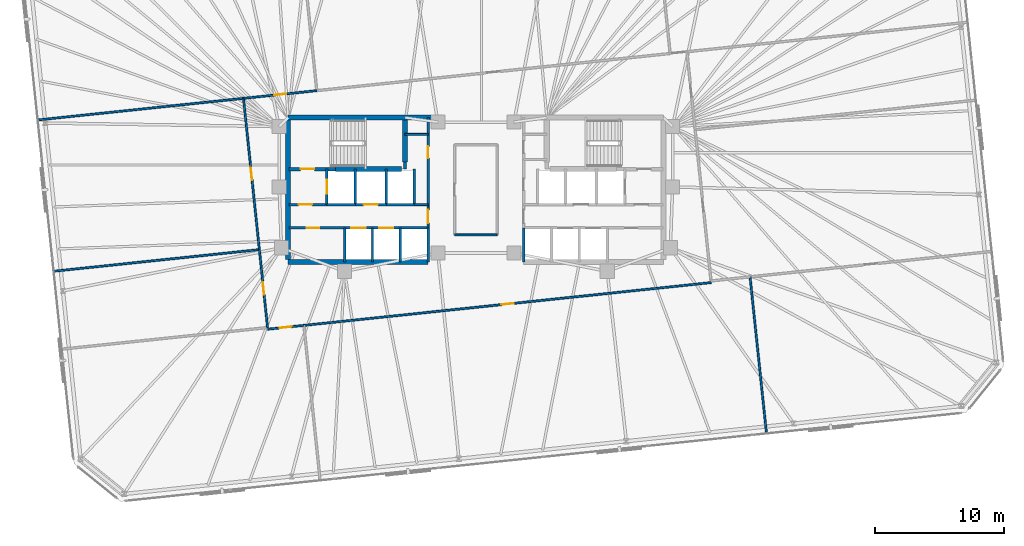
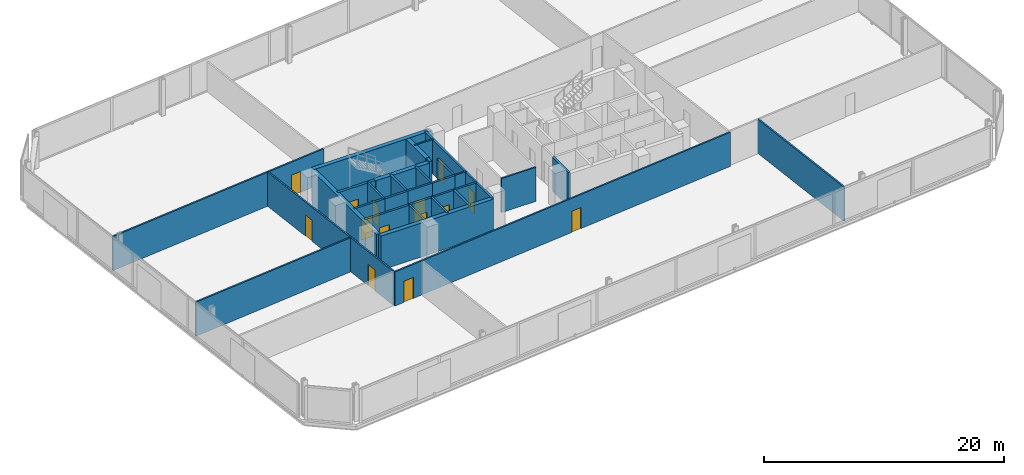
# One storey, part 14 of 18: 34 walls, 14 doors, 14 openings.
"""IFC4 building model written with IfcOpenShell, lengths in metres."""

from ifc_helpers import new_model, si_unit, direction, frame, frame_2d, origin, place, context, subcontext, project, spatial, rectangle, extrude, material, layer, layer_set, type_object, element, fill, save


model = new_model("IFC4")

# Units and contexts
model_context = context("Model", 3, precision=1e-05, world=origin(), true_north=direction((0.0, 1.0)))
body_context = subcontext(model_context, "Body", "Model", "MODEL_VIEW")
ifc_project = project(units=[si_unit("LENGTHUNIT", "METRE"), si_unit("AREAUNIT", "SQUARE_METRE"), si_unit("VOLUMEUNIT", "CUBIC_METRE"), si_unit("PLANEANGLEUNIT", "RADIAN"), si_unit("MASSUNIT", "GRAM", prefix="KILO")], contexts=[model_context])

# Site, building, storey
site_placement = place(None, origin())
site = spatial("IfcSite", under=ifc_project, at=site_placement, CompositionType="ELEMENT")
building_placement = place(site_placement, origin())
building = spatial("IfcBuilding", under=site, at=building_placement, Name="Menara Jurai Vektor", CompositionType="ELEMENT")
storey_placement = place(building_placement, frame((0.0, 0.0, 135.5)))
storey = spatial("IfcBuildingStorey", under=building, at=storey_placement, Name="L34", CompositionType="ELEMENT", Elevation=135.5)

# Wall, opening, door
ifc_material_1 = material(Name="Concrete C40/50", Category="concrete")
ifc_layer_1 = layer(ifc_material_1, 0.25)
ifc_layer_set_1 = layer_set([ifc_layer_1], Name="Concrete C40/50")
wall_type_1 = type_object("IfcWallType", Name="INT-WALL-CORE-250", PredefinedType="STANDARD", material=ifc_layer_set_1)
wall_1_placement = place(storey_placement, frame((-14.5, 1.60009765625, 0.0), z_axis=(0.0, 0.0, 1.0), x_axis=(1.0, 0.0, 0.0)))
wall_1 = element("IfcWall", 1, at=wall_1_placement, inside=storey, type_object=wall_type_1, Name="Interior Wall IW-250 L34", PredefinedType="STANDARD", context=body_context, shape_type="SweptSolid", body=[
    extrude(rectangle(XDim=3.60009765625, YDim=0.25, at=frame_2d((1.800048828125, 0.0))), origin(), (0.0, 0.0, 1.0), 3.47509765625),
])
opening_1_placement = place(wall_1_placement, frame((0.919921875, 0.0, 0.0)))
opening_1 = element("IfcOpeningElement", 2, at=opening_1_placement, cuts=wall_1, Name="Opening D-L34-ST1", PredefinedType="OPENING", context=body_context, shape_type="SweptSolid", body=[
    extrude(rectangle(XDim=1.050048828125, YDim=2.14990234375, at=frame_2d((0.52490234375, 1.074951171875))), frame((0.0, 0.135009765625, 0.0), z_axis=(0.0, -1.0, 0.0), x_axis=(1.0, 0.0, 0.0)), (0.0, 0.0, 1.0), 0.27001953125),
])
ifc_material_2 = material(Name="Fire-Rated Steel Door", Category="steel")
door_type_1 = type_object("IfcDoorType", Name="DR-STAIR-1050", OperationType="NOTDEFINED", PredefinedType="DOOR", material=ifc_material_2)
door_1_placement = place(opening_1_placement, origin())
door_1 = element("IfcDoor", 3, at=door_1_placement, inside=storey, type_object=door_type_1, Name="Exit Stair ST1 Door L34", OperationType="SINGLE_SWING_RIGHT", OverallHeight=2.14990234375, OverallWidth=1.050048828125, PredefinedType="DOOR", context=body_context, shape_type="SweptSolid", body=[
    extrude(rectangle(XDim=1.050048828125, YDim=2.14990234375, at=frame_2d((0.52490234375, 1.074951171875))), frame((0.0, 0.02490234375, 0.0), z_axis=(0.0, -1.0, 0.0), x_axis=(1.0, 0.0, 0.0)), (0.0, 0.0, 1.0), 0.050048828125),
])
fill(opening_1, door_1)

# Wall
wall_2_placement = place(storey_placement, frame((-5.5, 1.60009765625, 0.0), z_axis=(0.0, 0.0, 1.0), x_axis=(0.0, 1.0, 0.0)))
element("IfcWall", 4, at=wall_2_placement, inside=storey, type_object=wall_type_1, Name="Interior Wall IW-250 L34", PredefinedType="STANDARD", context=body_context, shape_type="SweptSolid", body=[
    extrude(rectangle(XDim=0.5498046875, YDim=0.25, at=frame_2d((0.27490234375, 0.0))), origin(), (0.0, 0.0, 1.0), 3.47509765625),
])

# Wall, opening, door
wall_3_placement = place(storey_placement, frame((-11.550048828125, -1.14990234375, 0.0), z_axis=(0.0, 0.0, 1.0), x_axis=(0.0, 1.0, 0.0)))
wall_3 = element("IfcWall", 5, at=wall_3_placement, inside=storey, type_object=wall_type_1, Name="Interior Wall IW-250 L34", PredefinedType="STANDARD", context=body_context, shape_type="SweptSolid", body=[
    extrude(rectangle(XDim=2.75, YDim=0.199951171875, at=frame_2d((1.375, 0.0))), origin(), (0.0, 0.0, 1.0), 3.47509765625),
])
opening_2_placement = place(wall_3_placement, frame((0.824951171875, 0.0, 0.0)))
opening_2 = element("IfcOpeningElement", 6, at=opening_2_placement, cuts=wall_3, Name="Opening LD-L34-FL1", PredefinedType="OPENING", context=body_context, shape_type="SweptSolid", body=[
    extrude(rectangle(XDim=1.10009765625, YDim=2.14990234375, at=frame_2d((0.550048828125, 1.074951171875))), frame((0.0, 0.10986328125, 0.0), z_axis=(0.0, -1.0, 0.0), x_axis=(1.0, 0.0, 0.0)), (0.0, 0.0, 1.0), 0.219970703125),
])
ifc_material_3 = material(Name="Stainless Steel Sliding Lift Landing Door", Category="steel")
door_type_2 = type_object("IfcDoorType", Name="DR-LIFT-FIRE-1100", OperationType="NOTDEFINED", PredefinedType="DOOR", material=ifc_material_3)
door_2_placement = place(opening_2_placement, origin())
door_2 = element("IfcDoor", 7, at=door_2_placement, inside=storey, type_object=door_type_2, Name="Lift Landing Door FL1 L34", OperationType="SLIDING_TO_RIGHT", OverallHeight=2.14990234375, OverallWidth=1.10009765625, PredefinedType="DOOR", context=body_context, shape_type="SweptSolid", body=[
    extrude(rectangle(XDim=1.10009765625, YDim=2.14990234375, at=frame_2d((0.550048828125, 1.074951171875))), frame((0.0, 0.02490234375, 0.0), z_axis=(0.0, -1.0, 0.0), x_axis=(1.0, 0.0, 0.0)), (0.0, 0.0, 1.0), 0.050048828125),
])
fill(opening_2, door_2)

# Wall
wall_4_placement = place(storey_placement, frame((-9.35009765625, -1.14990234375, 0.0), z_axis=(0.0, 0.0, 1.0), x_axis=(0.0, 1.0, 0.0)))
element("IfcWall", 8, at=wall_4_placement, inside=storey, type_object=wall_type_1, Name="Interior Wall IW-250 L34", PredefinedType="STANDARD", context=body_context, shape_type="SweptSolid", body=[
    extrude(rectangle(XDim=2.75, YDim=0.199951171875, at=frame_2d((1.375, 0.0))), origin(), (0.0, 0.0, 1.0), 3.47509765625),
])

# Wall, opening, door
wall_5_placement = place(storey_placement, frame((-14.5, -1.14990234375, 0.0), z_axis=(0.0, 0.0, 1.0), x_axis=(1.0, 0.0, 0.0)))
wall_5 = element("IfcWall", 9, at=wall_5_placement, inside=storey, type_object=wall_type_1, Name="Interior Wall IW-250 L34", PredefinedType="STANDARD", context=body_context, shape_type="SweptSolid", body=[
    extrude(rectangle(XDim=2.949951171875, YDim=0.199951171875, at=frame_2d((1.47509765625, 0.0))), origin(), (0.0, 0.0, 1.0), 3.47509765625),
])
opening_3_placement = place(wall_5_placement, frame((0.75, 0.0, 0.0)))
opening_3 = element("IfcOpeningElement", 10, at=opening_3_placement, cuts=wall_5, Name="Opening D-L34-FFW", PredefinedType="OPENING", context=body_context, shape_type="SweptSolid", body=[
    extrude(rectangle(XDim=1.050048828125, YDim=2.179931640625, at=frame_2d((0.52490234375, 1.08984375))), frame((0.0, 0.10986328125, 0.0), z_axis=(0.0, -1.0, 0.0), x_axis=(1.0, 0.0, 0.0)), (0.0, 0.0, 1.0), 0.219970703125),
])
ifc_material_4 = material(Name="Fire-Rated Timber Door", Category="wood")
door_type_3 = type_object("IfcDoorType", Name="DR-LOBBY-1050", OperationType="NOTDEFINED", PredefinedType="DOOR", material=ifc_material_4)
door_3_placement = place(opening_3_placement, origin())
door_3 = element("IfcDoor", 11, at=door_3_placement, inside=storey, type_object=door_type_3, Name="Fire Lift Lobby Door W L34", OperationType="SINGLE_SWING_RIGHT", OverallHeight=2.179931640625, OverallWidth=1.050048828125, PredefinedType="DOOR", context=body_context, shape_type="SweptSolid", body=[
    extrude(rectangle(XDim=1.050048828125, YDim=2.179931640625, at=frame_2d((0.52490234375, 1.08984375))), frame((0.0, 0.02490234375, 0.0), z_axis=(0.0, -1.0, 0.0), x_axis=(1.0, 0.0, 0.0)), (0.0, 0.0, 1.0), 0.050048828125),
])
fill(opening_3, door_3)

# Wall
wall_6_placement = place(storey_placement, frame((-11.550048828125, -1.14990234375, 0.0), z_axis=(0.0, 0.0, 1.0), x_axis=(1.0, 0.0, 0.0)))
element("IfcWall", 12, at=wall_6_placement, inside=storey, type_object=wall_type_1, Name="Interior Wall IW-250 L34", PredefinedType="STANDARD", context=body_context, shape_type="SweptSolid", body=[
    extrude(rectangle(XDim=2.199951171875, YDim=0.199951171875, at=frame_2d((1.10009765625, 0.0))), origin(), (0.0, 0.0, 1.0), 3.47509765625),
])

# Wall, opening, door
ifc_material_5 = material(Name="Gypsum Fireboard Partition", Category="gypsum")
ifc_layer_2 = layer(ifc_material_5, 0.14990234375)
ifc_layer_set_2 = layer_set([ifc_layer_2], Name="Gypsum Fireboard Partition")
wall_type_2 = type_object("IfcWallType", Name="INT-WALL-CORR-150", PredefinedType="PARTITIONING", material=ifc_layer_set_2)
wall_7_placement = place(storey_placement, frame((-3.699951171875, -2.949951171875, 0.0), z_axis=(0.0, 0.0, 1.0), x_axis=(0.0, 1.0, 0.0)))
wall_7 = element("IfcWall", 13, at=wall_7_placement, inside=storey, type_object=wall_type_2, Name="Interior Wall IW-150 L34", PredefinedType="PARTITIONING", context=body_context, shape_type="SweptSolid", body=[
    extrude(rectangle(XDim=1.800048828125, YDim=0.14990234375, at=frame_2d((0.89990234375, 0.0))), origin(), (0.0, 0.0, 1.0), 3.47509765625),
])
opening_4_placement = place(wall_7_placement, frame((0.35009765625, 0.0, 0.0)))
opening_4 = element("IfcOpeningElement", 14, at=opening_4_placement, cuts=wall_7, Name="Opening D-L34-LLW", PredefinedType="OPENING", context=body_context, shape_type="SweptSolid", body=[
    extrude(rectangle(XDim=1.050048828125, YDim=2.179931640625, at=frame_2d((0.52490234375, 1.08984375))), frame((0.0, 0.0849609375, 0.0), z_axis=(0.0, -1.0, 0.0), x_axis=(1.0, 0.0, 0.0)), (0.0, 0.0, 1.0), 0.169921875),
])
door_4_placement = place(opening_4_placement, origin())
door_4 = element("IfcDoor", 15, at=door_4_placement, inside=storey, type_object=door_type_3, Name="Lift Lobby Corridor Door W L34", OperationType="SINGLE_SWING_LEFT", OverallHeight=2.179931640625, OverallWidth=1.050048828125, PredefinedType="DOOR", context=body_context, shape_type="SweptSolid", body=[
    extrude(rectangle(XDim=1.050048828125, YDim=2.179931640625, at=frame_2d((0.52490234375, 1.08984375))), frame((0.0, 0.02490234375, 0.0), z_axis=(0.0, -1.0, 0.0), x_axis=(1.0, 0.0, 0.0)), (0.0, 0.0, 1.0), 0.050048828125),
])
fill(opening_4, door_4)

# Walls
wall_8_placement = place(storey_placement, frame((-4.7900390625, -1.14990234375, 0.0), z_axis=(0.0, 0.0, 1.0), x_axis=(1.0, 0.0, 0.0)))
element("IfcWall", 16, at=wall_8_placement, inside=storey, type_object=wall_type_2, Name="Interior Wall IW-150 L34", PredefinedType="PARTITIONING", context=body_context, shape_type="SweptSolid", body=[
    extrude(rectangle(XDim=1.090087890625, YDim=0.14990234375, at=frame_2d((0.544921875, 0.0))), origin(), (0.0, 0.0, 1.0), 3.47509765625),
])
wall_9_placement = place(storey_placement, frame((-5.5, 4.300048828125, 0.0), z_axis=(0.0, 0.0, 1.0), x_axis=(1.0, 0.0, 0.0)))
element("IfcWall", 17, at=wall_9_placement, inside=storey, type_object=wall_type_2, Name="Interior Wall IW-150 L34", PredefinedType="PARTITIONING", context=body_context, shape_type="SweptSolid", body=[
    extrude(rectangle(XDim=1.800048828125, YDim=0.14990234375, at=frame_2d((0.89990234375, 0.0))), origin(), (0.0, 0.0, 1.0), 3.47509765625),
])
wall_10_placement = place(storey_placement, frame((-1.649658203125, -3.490478515625, 0.0), z_axis=(0.0, 0.0, 1.0), x_axis=(1.0, 0.0, 0.0)))
element("IfcWall", 18, at=wall_10_placement, inside=storey, type_object=wall_type_2, Name="Interior Wall IW-150 L34", PredefinedType="PARTITIONING", context=body_context, shape_type="SweptSolid", body=[
    extrude(rectangle(XDim=3.300048828125, YDim=0.14990234375, at=frame_2d((1.64990234375, 0.0))), origin(), (0.0, 0.0, 1.0), 3.47509765625),
])

# Wall, opening, door
wall_11_placement = place(storey_placement, frame((-18.021240234375, 7.09033203125, 0.0), z_axis=(0.0, 0.0, 1.0), x_axis=(0.994520418841, 0.104542510534, 0.0)))
wall_11 = element("IfcWall", 19, at=wall_11_placement, inside=storey, type_object=wall_type_2, Name="Interior Wall IW-150 L34", PredefinedType="PARTITIONING", context=body_context, shape_type="SweptSolid", body=[
    extrude(rectangle(XDim=5.716796875, YDim=0.14990234375, at=frame_2d((2.8583984375, 0.0))), origin(), (0.0, 0.0, 1.0), 3.47509765625),
])
opening_5_placement = place(wall_11_placement, frame((2.383544921875, 0.0, 0.0)))
opening_5 = element("IfcOpeningElement", 20, at=opening_5_placement, cuts=wall_11, Name="Opening D34-07", PredefinedType="OPENING", context=body_context, shape_type="SweptSolid", body=[
    extrude(rectangle(XDim=0.949951171875, YDim=2.14990234375, at=frame_2d((0.47509765625, 1.074951171875))), frame((0.0, 0.0849609375, 0.0), z_axis=(0.0, -1.0, 0.0), x_axis=(1.0, 0.0, 0.0)), (0.0, 0.0, 1.0), 0.169921875),
])
ifc_material_6 = material(Name="Solid Core Timber Fire Door", Category="wood")
door_type_4 = type_object("IfcDoorType", Name="DR-ENTRY-950", OperationType="NOTDEFINED", PredefinedType="DOOR", material=ifc_material_6)
door_5_placement = place(opening_5_placement, origin())
door_5 = element("IfcDoor", 21, at=door_5_placement, inside=storey, type_object=door_type_4, Name="Interior Door D34-07", OperationType="SINGLE_SWING_RIGHT", OverallHeight=2.14990234375, OverallWidth=0.949951171875, PredefinedType="DOOR", context=body_context, shape_type="SweptSolid", body=[
    extrude(rectangle(XDim=0.949951171875, YDim=2.14990234375, at=frame_2d((0.47509765625, 1.074951171875))), frame((0.0, 0.02490234375, 0.0), z_axis=(0.0, -1.0, 0.0), x_axis=(1.0, 0.0, 0.0)), (0.0, 0.0, 1.0), 0.050048828125),
])
fill(opening_5, door_5)

wall_12_placement = place(storey_placement, frame((-16.139892578125, -10.80908203125, 0.0), z_axis=(0.0, 0.0, 1.0), x_axis=(0.994522535937, 0.104522368483, 0.0)))
wall_12 = element("IfcWall", 22, at=wall_12_placement, inside=storey, type_object=wall_type_2, Name="Interior Wall IW-150 L34", PredefinedType="PARTITIONING", context=body_context, shape_type="SweptSolid", body=[
    extrude(rectangle(XDim=2.81689453125, YDim=0.14990234375, at=frame_2d((1.408447265625, 0.0))), origin(), (0.0, 0.0, 1.0), 3.47509765625),
])
opening_6_placement = place(wall_12_placement, frame((0.93359375, 0.0, 0.0)))
opening_6 = element("IfcOpeningElement", 23, at=opening_6_placement, cuts=wall_12, Name="Opening D34-10", PredefinedType="OPENING", context=body_context, shape_type="SweptSolid", body=[
    extrude(rectangle(XDim=0.949951171875, YDim=2.14990234375, at=frame_2d((0.47509765625, 1.074951171875))), frame((0.0, 0.0849609375, 0.0), z_axis=(0.0, -1.0, 0.0), x_axis=(1.0, 0.0, 0.0)), (0.0, 0.0, 1.0), 0.169921875),
])
door_6_placement = place(opening_6_placement, origin())
door_6 = element("IfcDoor", 24, at=door_6_placement, inside=storey, type_object=door_type_4, Name="Interior Door D34-10", OperationType="SINGLE_SWING_LEFT", OverallHeight=2.14990234375, OverallWidth=0.949951171875, PredefinedType="DOOR", context=body_context, shape_type="SweptSolid", body=[
    extrude(rectangle(XDim=0.949951171875, YDim=2.14990234375, at=frame_2d((0.47509765625, 1.074951171875))), frame((0.0, 0.02490234375, 0.0), z_axis=(0.0, -1.0, 0.0), x_axis=(1.0, 0.0, 0.0)), (0.0, 0.0, 1.0), 0.050048828125),
])
fill(opening_6, door_6)

wall_13_placement = place(storey_placement, frame((-13.33837890625, -10.5146484375, 0.0), z_axis=(0.0, 0.0, 1.0), x_axis=(0.994522458216, 0.104523107989, 0.0)))
wall_13 = element("IfcWall", 25, at=wall_13_placement, inside=storey, type_object=wall_type_2, Name="Interior Wall IW-150 L34", PredefinedType="PARTITIONING", context=body_context, shape_type="SweptSolid", body=[
    extrude(rectangle(XDim=31.7568359375, YDim=0.14990234375, at=frame_2d((15.87841796875, 0.0))), origin(), (0.0, 0.0, 1.0), 3.47509765625),
])
opening_7_placement = place(wall_13_placement, frame((15.403564453125, 0.0, 0.0)))
opening_7 = element("IfcOpeningElement", 26, at=opening_7_placement, cuts=wall_13, Name="Opening D34-11", PredefinedType="OPENING", context=body_context, shape_type="SweptSolid", body=[
    extrude(rectangle(XDim=0.949951171875, YDim=2.14990234375, at=frame_2d((0.47509765625, 1.074951171875))), frame((0.0, 0.0849609375, 0.0), z_axis=(0.0, -1.0, 0.0), x_axis=(1.0, 0.0, 0.0)), (0.0, 0.0, 1.0), 0.169921875),
])
door_7_placement = place(opening_7_placement, origin())
door_7 = element("IfcDoor", 27, at=door_7_placement, inside=storey, type_object=door_type_4, Name="Interior Door D34-11", OperationType="SINGLE_SWING_RIGHT", OverallHeight=2.14990234375, OverallWidth=0.949951171875, PredefinedType="DOOR", context=body_context, shape_type="SweptSolid", body=[
    extrude(rectangle(XDim=0.949951171875, YDim=2.14990234375, at=frame_2d((0.47509765625, 1.074951171875))), frame((0.0, 0.02490234375, 0.0), z_axis=(0.0, -1.0, 0.0), x_axis=(1.0, 0.0, 0.0)), (0.0, 0.0, 1.0), 0.050048828125),
])
fill(opening_7, door_7)

wall_14_placement = place(storey_placement, frame((-16.1533203125, -10.681884765625, 0.0), z_axis=(0.0, 0.0, 1.0), x_axis=(-0.104550920346, 0.994519534778, 0.0)))
wall_14 = element("IfcWall", 28, at=wall_14_placement, inside=storey, type_object=wall_type_2, Name="Interior Wall IW-150 L34", PredefinedType="PARTITIONING", context=body_context, shape_type="SweptSolid", body=[
    extrude(rectangle(XDim=6.075927734375, YDim=0.14990234375, at=frame_2d((3.0380859375, 0.0))), origin(), (0.0, 0.0, 1.0), 3.47509765625),
])
opening_8_placement = place(wall_14_placement, frame((2.56298828125, 0.0, 0.0)))
opening_8 = element("IfcOpeningElement", 29, at=opening_8_placement, cuts=wall_14, Name="Opening D34-12", PredefinedType="OPENING", context=body_context, shape_type="SweptSolid", body=[
    extrude(rectangle(XDim=0.949951171875, YDim=2.14990234375, at=frame_2d((0.47509765625, 1.074951171875))), frame((0.0, 0.0849609375, 0.0), z_axis=(0.0, -1.0, 0.0), x_axis=(1.0, 0.0, 0.0)), (0.0, 0.0, 1.0), 0.169921875),
])
door_8_placement = place(opening_8_placement, origin())
door_8 = element("IfcDoor", 30, at=door_8_placement, inside=storey, type_object=door_type_4, Name="Interior Door D34-12", OperationType="SINGLE_SWING_LEFT", OverallHeight=2.14990234375, OverallWidth=0.949951171875, PredefinedType="DOOR", context=body_context, shape_type="SweptSolid", body=[
    extrude(rectangle(XDim=0.949951171875, YDim=2.14990234375, at=frame_2d((0.47509765625, 1.074951171875))), frame((0.0, 0.02490234375, 0.0), z_axis=(0.0, -1.0, 0.0), x_axis=(1.0, 0.0, 0.0)), (0.0, 0.0, 1.0), 0.050048828125),
])
fill(opening_8, door_8)

wall_15_placement = place(storey_placement, frame((-16.78857421875, -4.63916015625, 0.0), z_axis=(0.0, 0.0, 1.0), x_axis=(-0.104515608009, 0.994523246426, 0.0)))
wall_15 = element("IfcWall", 31, at=wall_15_placement, inside=storey, type_object=wall_type_2, Name="Interior Wall IW-150 L34", PredefinedType="PARTITIONING", context=body_context, shape_type="SweptSolid", body=[
    extrude(rectangle(XDim=11.794189453125, YDim=0.14990234375, at=frame_2d((5.89697265625, 0.0))), origin(), (0.0, 0.0, 1.0), 3.47509765625),
])
opening_9_placement = place(wall_15_placement, frame((5.422119140625, 0.0, 0.0)))
opening_9 = element("IfcOpeningElement", 32, at=opening_9_placement, cuts=wall_15, Name="Opening D34-13", PredefinedType="OPENING", context=body_context, shape_type="SweptSolid", body=[
    extrude(rectangle(XDim=0.949951171875, YDim=2.14990234375, at=frame_2d((0.47509765625, 1.074951171875))), frame((0.0, 0.0849609375, 0.0), z_axis=(0.0, -1.0, 0.0), x_axis=(1.0, 0.0, 0.0)), (0.0, 0.0, 1.0), 0.169921875),
])
door_9_placement = place(opening_9_placement, origin())
door_9 = element("IfcDoor", 33, at=door_9_placement, inside=storey, type_object=door_type_4, Name="Interior Door D34-13", OperationType="SINGLE_SWING_RIGHT", OverallHeight=2.14990234375, OverallWidth=0.949951171875, PredefinedType="DOOR", context=body_context, shape_type="SweptSolid", body=[
    extrude(rectangle(XDim=0.949951171875, YDim=2.14990234375, at=frame_2d((0.47509765625, 1.074951171875))), frame((0.0, 0.02490234375, 0.0), z_axis=(0.0, -1.0, 0.0), x_axis=(1.0, 0.0, 0.0)), (0.0, 0.0, 1.0), 0.050048828125),
])
fill(opening_9, door_9)

# Walls
wall_16_placement = place(storey_placement, frame((-33.966552734375, 5.414306640625, 0.0), z_axis=(0.0, 0.0, 1.0), x_axis=(0.994521211213, 0.104534972363, 0.0)))
element("IfcWall", 34, at=wall_16_placement, inside=storey, type_object=wall_type_2, Name="Interior Wall IW-150 L34", PredefinedType="PARTITIONING", context=body_context, shape_type="SweptSolid", body=[
    extrude(rectangle(XDim=16.033203125, YDim=0.14990234375, at=frame_2d((8.0166015625, 0.0))), origin(), (0.0, 0.0, 1.0), 3.47509765625),
])
wall_17_placement = place(storey_placement, frame((22.534912109375, -18.90380859375, 0.0), z_axis=(0.0, 0.0, 1.0), x_axis=(-0.104520477826, 0.99452273464, 0.0)))
element("IfcWall", 35, at=wall_17_placement, inside=storey, type_object=wall_type_2, Name="Interior Wall IW-150 L34", PredefinedType="PARTITIONING", context=body_context, shape_type="SweptSolid", body=[
    extrude(rectangle(XDim=12.220947265625, YDim=0.14990234375, at=frame_2d((6.1103515625, 0.0))), origin(), (0.0, 0.0, 1.0), 3.47509765625),
])
wall_18_placement = place(storey_placement, frame((-32.733642578125, -6.31494140625, 0.0), z_axis=(0.0, 0.0, 1.0), x_axis=(0.994522627807, 0.104521494347, 0.0)))
element("IfcWall", 36, at=wall_18_placement, inside=storey, type_object=wall_type_2, Name="Interior Wall IW-150 L34", PredefinedType="PARTITIONING", context=body_context, shape_type="SweptSolid", body=[
    extrude(rectangle(XDim=16.032958984375, YDim=0.14990234375, at=frame_2d((8.0166015625, 0.0))), origin(), (0.0, 0.0, 1.0), 3.47509765625),
])

# Wall, opening, door
ifc_layer_3 = layer(ifc_material_1, 0.199951171875)
ifc_layer_set_3 = layer_set([ifc_layer_3], Name="Concrete C40/50")
wall_type_3 = type_object("IfcWallType", Name="INT-WALL-SHAFT-200", PredefinedType="STANDARD", material=ifc_layer_set_3)
wall_19_placement = place(storey_placement, frame((-3.699951171875, -1.14990234375, 0.0), z_axis=(0.0, 0.0, 1.0), x_axis=(0.0, 1.0, 0.0)))
wall_19 = element("IfcWall", 37, at=wall_19_placement, inside=storey, type_object=wall_type_3, Name="Interior Wall IW-200 L34", PredefinedType="STANDARD", context=body_context, shape_type="SweptSolid", body=[
    extrude(rectangle(XDim=6.75, YDim=0.199951171875, at=frame_2d((3.375, 0.0))), origin(), (0.0, 0.0, 1.0), 3.47509765625),
])
opening_10_placement = place(wall_19_placement, frame((3.60009765625, 0.0, 0.0)))
opening_10 = element("IfcOpeningElement", 38, at=opening_10_placement, cuts=wall_19, Name="Opening D34-02", PredefinedType="OPENING", context=body_context, shape_type="SweptSolid", body=[
    extrude(rectangle(XDim=0.919921875, YDim=2.14990234375, at=frame_2d((0.4599609375, 1.074951171875))), frame((0.0, 0.10986328125, 0.0), z_axis=(0.0, -1.0, 0.0), x_axis=(1.0, 0.0, 0.0)), (0.0, 0.0, 1.0), 0.219970703125),
])
door_10_placement = place(opening_10_placement, origin())
door_10 = element("IfcDoor", 39, at=door_10_placement, inside=storey, type_object=door_type_4, Name="Interior Door D34-02", OperationType="SINGLE_SWING_LEFT", OverallHeight=2.14990234375, OverallWidth=0.919921875, PredefinedType="DOOR", context=body_context, shape_type="SweptSolid", body=[
    extrude(rectangle(XDim=0.919921875, YDim=2.14990234375, at=frame_2d((0.4599609375, 1.074951171875))), frame((0.0, 0.02490234375, 0.0), z_axis=(0.0, -1.0, 0.0), x_axis=(1.0, 0.0, 0.0)), (0.0, 0.0, 1.0), 0.050048828125),
])
fill(opening_10, door_10)

# Walls
wall_20_placement = place(storey_placement, frame((-3.699951171875, -5.60009765625, 0.0), z_axis=(0.0, 0.0, 1.0), x_axis=(0.0, 1.0, 0.0)))
element("IfcWall", 40, at=wall_20_placement, inside=storey, type_object=wall_type_3, Name="Interior Wall IW-200 L34", PredefinedType="STANDARD", context=body_context, shape_type="SweptSolid", body=[
    extrude(rectangle(XDim=2.650146484375, YDim=0.199951171875, at=frame_2d((1.3251953125, 0.0))), origin(), (0.0, 0.0, 1.0), 3.47509765625),
])
wall_21_placement = place(storey_placement, frame((-6.949951171875, -1.14990234375, 0.0), z_axis=(0.0, 0.0, 1.0), x_axis=(0.0, 1.0, 0.0)))
element("IfcWall", 41, at=wall_21_placement, inside=storey, type_object=wall_type_3, Name="Interior Wall IW-200 L34", PredefinedType="STANDARD", context=body_context, shape_type="SweptSolid", body=[
    extrude(rectangle(XDim=2.75, YDim=0.199951171875, at=frame_2d((1.375, 0.0))), origin(), (0.0, 0.0, 1.0), 3.47509765625),
])

# Wall, opening, door
wall_22_placement = place(storey_placement, frame((-9.35009765625, -1.14990234375, 0.0), z_axis=(0.0, 0.0, 1.0), x_axis=(1.0, 0.0, 0.0)))
wall_22 = element("IfcWall", 42, at=wall_22_placement, inside=storey, type_object=wall_type_3, Name="Interior Wall IW-200 L34", PredefinedType="STANDARD", context=body_context, shape_type="SweptSolid", body=[
    extrude(rectangle(XDim=2.400146484375, YDim=0.199951171875, at=frame_2d((1.2001953125, 0.0))), origin(), (0.0, 0.0, 1.0), 3.47509765625),
])
opening_11_placement = place(wall_22_placement, frame((0.64990234375, 0.0, 0.0)))
opening_11 = element("IfcOpeningElement", 43, at=opening_11_placement, cuts=wall_22, Name="Opening LD-L34-SVL1", PredefinedType="OPENING", context=body_context, shape_type="SweptSolid", body=[
    extrude(rectangle(XDim=1.10009765625, YDim=2.14990234375, at=frame_2d((0.550048828125, 1.074951171875))), frame((0.0, 0.10986328125, 0.0), z_axis=(0.0, -1.0, 0.0), x_axis=(1.0, 0.0, 0.0)), (0.0, 0.0, 1.0), 0.219970703125),
])
ifc_material_7 = material(Name="Anodised Stainless Sliding Lift Landing Door", Category="steel")
door_type_5 = type_object("IfcDoorType", Name="DR-LIFT-PASS-1100", OperationType="NOTDEFINED", PredefinedType="DOOR", material=ifc_material_7)
door_11_placement = place(opening_11_placement, origin())
door_11 = element("IfcDoor", 44, at=door_11_placement, inside=storey, type_object=door_type_5, Name="Lift Landing Door SVL1 L34", OperationType="SLIDING_TO_RIGHT", OverallHeight=2.14990234375, OverallWidth=1.10009765625, PredefinedType="DOOR", context=body_context, shape_type="SweptSolid", body=[
    extrude(rectangle(XDim=1.10009765625, YDim=2.14990234375, at=frame_2d((0.550048828125, 1.074951171875))), frame((0.0, 0.02490234375, 0.0), z_axis=(0.0, -1.0, 0.0), x_axis=(1.0, 0.0, 0.0)), (0.0, 0.0, 1.0), 0.050048828125),
])
fill(opening_11, door_11)

# Walls
wall_23_placement = place(storey_placement, frame((-4.7900390625, -1.14990234375, 0.0), z_axis=(0.0, 0.0, 1.0), x_axis=(0.0, 1.0, 0.0)))
element("IfcWall", 45, at=wall_23_placement, inside=storey, type_object=wall_type_3, Name="Interior Wall IW-200 L34", PredefinedType="STANDARD", context=body_context, shape_type="SweptSolid", body=[
    extrude(rectangle(XDim=2.75, YDim=0.199951171875, at=frame_2d((1.375, 0.0))), origin(), (0.0, 0.0, 1.0), 3.47509765625),
])
wall_24_placement = place(storey_placement, frame((-6.949951171875, -1.14990234375, 0.0), z_axis=(0.0, 0.0, 1.0), x_axis=(1.0, 0.0, 0.0)))
element("IfcWall", 46, at=wall_24_placement, inside=storey, type_object=wall_type_3, Name="Interior Wall IW-200 L34", PredefinedType="STANDARD", context=body_context, shape_type="SweptSolid", body=[
    extrude(rectangle(XDim=2.159912109375, YDim=0.199951171875, at=frame_2d((1.080078125, 0.0))), origin(), (0.0, 0.0, 1.0), 3.47509765625),
])

# Wall, openings, doors
wall_25_placement = place(storey_placement, frame((-14.5, -2.949951171875, 0.0), z_axis=(0.0, 0.0, 1.0), x_axis=(1.0, 0.0, 0.0)))
wall_25 = element("IfcWall", 47, at=wall_25_placement, inside=storey, type_object=wall_type_3, Name="Interior Wall IW-200 L34", PredefinedType="STANDARD", context=body_context, shape_type="SweptSolid", body=[
    extrude(rectangle(XDim=10.800048828125, YDim=0.199951171875, at=frame_2d((5.39990234375, 0.0))), origin(), (0.0, 0.0, 1.0), 3.47509765625),
])
opening_12_placement = place(wall_25_placement, frame((4.85009765625, 0.0, 0.0)))
opening_12 = element("IfcOpeningElement", 48, at=opening_12_placement, cuts=wall_25, Name="Opening LD-L34-PM1", PredefinedType="OPENING", context=body_context, shape_type="SweptSolid", body=[
    extrude(rectangle(XDim=1.10009765625, YDim=2.14990234375, at=frame_2d((0.550048828125, 1.074951171875))), frame((0.0, 0.10986328125, 0.0), z_axis=(0.0, -1.0, 0.0), x_axis=(1.0, 0.0, 0.0)), (0.0, 0.0, 1.0), 0.219970703125),
])
opening_13_placement = place(wall_25_placement, frame((7.010009765625, 0.0, 0.0)))
opening_13 = element("IfcOpeningElement", 49, at=opening_13_placement, cuts=wall_25, Name="Opening LD-L34-PM2", PredefinedType="OPENING", context=body_context, shape_type="SweptSolid", body=[
    extrude(rectangle(XDim=1.10009765625, YDim=2.14990234375, at=frame_2d((0.550048828125, 1.074951171875))), frame((0.0, 0.10986328125, 0.0), z_axis=(0.0, -1.0, 0.0), x_axis=(1.0, 0.0, 0.0)), (0.0, 0.0, 1.0), 0.219970703125),
])
opening_14_placement = place(wall_25_placement, frame((1.39990234375, 0.0, 0.0)))
opening_14 = element("IfcOpeningElement", 50, at=opening_14_placement, cuts=wall_25, Name="Opening D34-01", PredefinedType="OPENING", context=body_context, shape_type="SweptSolid", body=[
    extrude(rectangle(XDim=0.949951171875, YDim=2.14990234375, at=frame_2d((0.47509765625, 1.074951171875))), frame((0.0, 0.10986328125, 0.0), z_axis=(0.0, -1.0, 0.0), x_axis=(1.0, 0.0, 0.0)), (0.0, 0.0, 1.0), 0.219970703125),
])
door_12_placement = place(opening_14_placement, origin())
door_12 = element("IfcDoor", 51, at=door_12_placement, inside=storey, type_object=door_type_4, Name="Interior Door D34-01", OperationType="SINGLE_SWING_LEFT", OverallHeight=2.14990234375, OverallWidth=0.949951171875, PredefinedType="DOOR", context=body_context, shape_type="SweptSolid", body=[
    extrude(rectangle(XDim=0.949951171875, YDim=2.14990234375, at=frame_2d((0.47509765625, 1.074951171875))), frame((0.0, 0.02490234375, 0.0), z_axis=(0.0, -1.0, 0.0), x_axis=(1.0, 0.0, 0.0)), (0.0, 0.0, 1.0), 0.050048828125),
])
fill(opening_14, door_12)
door_13_placement = place(opening_12_placement, origin())
door_13 = element("IfcDoor", 52, at=door_13_placement, inside=storey, type_object=door_type_5, Name="Lift Landing Door PM1 L34", OperationType="SLIDING_TO_LEFT", OverallHeight=2.14990234375, OverallWidth=1.10009765625, PredefinedType="DOOR", context=body_context, shape_type="SweptSolid", body=[
    extrude(rectangle(XDim=1.10009765625, YDim=2.14990234375, at=frame_2d((0.550048828125, 1.074951171875))), frame((0.0, 0.02490234375, 0.0), z_axis=(0.0, -1.0, 0.0), x_axis=(1.0, 0.0, 0.0)), (0.0, 0.0, 1.0), 0.050048828125),
])
fill(opening_12, door_13)
door_14_placement = place(opening_13_placement, origin())
door_14 = element("IfcDoor", 53, at=door_14_placement, inside=storey, type_object=door_type_5, Name="Lift Landing Door PM2 L34", OperationType="SLIDING_TO_LEFT", OverallHeight=2.14990234375, OverallWidth=1.10009765625, PredefinedType="DOOR", context=body_context, shape_type="SweptSolid", body=[
    extrude(rectangle(XDim=1.10009765625, YDim=2.14990234375, at=frame_2d((0.550048828125, 1.074951171875))), frame((0.0, 0.02490234375, 0.0), z_axis=(0.0, -1.0, 0.0), x_axis=(1.0, 0.0, 0.0)), (0.0, 0.0, 1.0), 0.050048828125),
])
fill(opening_13, door_14)

# Walls
wall_26_placement = place(storey_placement, frame((-5.860107421875, -5.60009765625, 0.0), z_axis=(0.0, 0.0, 1.0), x_axis=(0.0, 1.0, 0.0)))
element("IfcWall", 54, at=wall_26_placement, inside=storey, type_object=wall_type_3, Name="Interior Wall IW-200 L34", PredefinedType="STANDARD", context=body_context, shape_type="SweptSolid", body=[
    extrude(rectangle(XDim=2.650146484375, YDim=0.199951171875, at=frame_2d((1.3251953125, 0.0))), origin(), (0.0, 0.0, 1.0), 3.47509765625),
])
for number, where, z_axis, x_axis, name in (
    (55, (-10.179931640625, -5.60009765625, 0.0), (0.0, 0.0, 1.0), (0.0, 1.0, 0.0), "Interior Wall IW-200 L34"),
    (56, (-8.02001953125, -5.60009765625, 0.0), (0.0, 0.0, 1.0), (0.0, 1.0, 0.0), "Interior Wall IW-200 L34"),
):
    element("IfcWall", number, at=place(storey_placement, frame(where, z_axis=z_axis, x_axis=x_axis)), inside=storey, type_object=wall_type_3, Name=name, PredefinedType="STANDARD", context=body_context, shape_type="SweptSolid", body=[
        extrude(rectangle(XDim=2.650146484375, YDim=0.179931640625, at=frame_2d((1.3251953125, 0.0))), origin(), (0.0, 0.0, 1.0), 3.47509765625),
    ])
wall_27_placement = place(storey_placement, frame((3.699951171875, -5.60009765625, 0.0), z_axis=(0.0, 0.0, 1.0), x_axis=(0.0, 1.0, 0.0)))
element("IfcWall", 57, at=wall_27_placement, inside=storey, type_object=wall_type_3, Name="Interior Wall IW-200 L34", PredefinedType="STANDARD", context=body_context, shape_type="SweptSolid", body=[
    extrude(rectangle(XDim=2.650146484375, YDim=0.199951171875, at=frame_2d((1.3251953125, 0.0))), origin(), (0.0, 0.0, 1.0), 3.47509765625),
])
ifc_material_8 = material(Name="Concrete C50/60", Category="concrete")
ifc_layer_4 = layer(ifc_material_8, 0.39990234375)
ifc_layer_set_4 = layer_set([ifc_layer_4], Name="Concrete C50/60")
wall_type_4 = type_object("IfcWallType", Name="STR-WALL-CORE400", PredefinedType="SHEAR", material=ifc_layer_set_4)
wall_28_placement = place(storey_placement, frame((-14.56005859375, 5.60009765625, 0.0), z_axis=(0.0, 0.0, 1.0), x_axis=(1.0, 0.0, 0.0)))
element("IfcWall", 58, at=wall_28_placement, inside=storey, type_object=wall_type_4, Name="Core Shear Wall CW-W-N L34", PredefinedType="SHEAR", context=body_context, shape_type="SweptSolid", body=[
    extrude(rectangle(XDim=11.41015625, YDim=0.39990234375, at=frame_2d((5.705078125, 0.0))), origin(), (0.0, 0.0, 1.0), 3.47509765625),
])
wall_29_placement = place(storey_placement, frame((-14.56005859375, -5.60009765625, 0.0), z_axis=(0.0, 0.0, 1.0), x_axis=(1.0, 0.0, 0.0)))
element("IfcWall", 59, at=wall_29_placement, inside=storey, type_object=wall_type_4, Name="Core Shear Wall CW-W-S L34", PredefinedType="SHEAR", context=body_context, shape_type="SweptSolid", body=[
    extrude(rectangle(XDim=10.860107421875, YDim=0.39990234375, at=frame_2d((5.43017578125, 0.0))), origin(), (0.0, 0.0, 1.0), 3.47509765625),
])
wall_30_placement = place(storey_placement, frame((-14.56005859375, -5.39990234375, 0.0), z_axis=(0.0, 0.0, 1.0), x_axis=(0.0, 1.0, 0.0)))
element("IfcWall", 60, at=wall_30_placement, inside=storey, type_object=wall_type_4, Name="Core Shear Wall CW-W-W L34", PredefinedType="SHEAR", context=body_context, shape_type="SweptSolid", body=[
    extrude(rectangle(XDim=10.7998046875, YDim=0.39990234375, at=frame_2d((5.39990234375, 0.0))), origin(), (0.0, 0.0, 1.0), 3.47509765625),
])
wall_31_placement = place(storey_placement, frame((-5.5, 2.14990234375, 0.0), z_axis=(0.0, 0.0, 1.0), x_axis=(0.0, 1.0, 0.0)))
element("IfcWall", 61, at=wall_31_placement, inside=storey, type_object=wall_type_4, Name="Core Shear Wall CW-W-ST L34", PredefinedType="SHEAR", context=body_context, shape_type="SweptSolid", body=[
    extrude(rectangle(XDim=3.25, YDim=0.39990234375, at=frame_2d((1.625, 0.0))), origin(), (0.0, 0.0, 1.0), 3.47509765625),
])
wall_32_placement = place(storey_placement, frame((-10.89990234375, 1.60009765625, 0.0), z_axis=(0.0, 0.0, 1.0), x_axis=(1.0, 0.0, 0.0)))
element("IfcWall", 62, at=wall_32_placement, inside=storey, type_object=wall_type_4, Name="Core Shear Wall CW-W-STS L34", PredefinedType="SHEAR", context=body_context, shape_type="SweptSolid", body=[
    extrude(rectangle(XDim=5.14990234375, YDim=0.39990234375, at=frame_2d((2.574951171875, 0.0))), origin(), (0.0, 0.0, 1.0), 3.47509765625),
])

save(model, "model.ifc")
